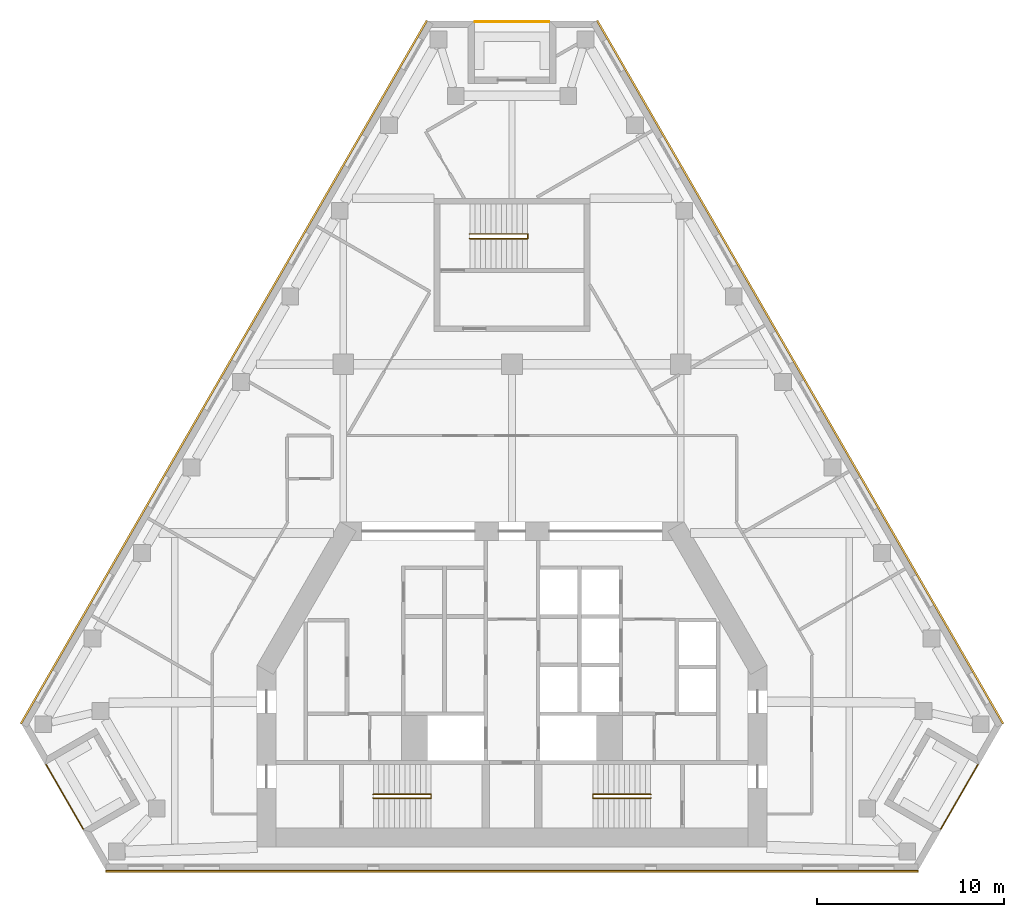
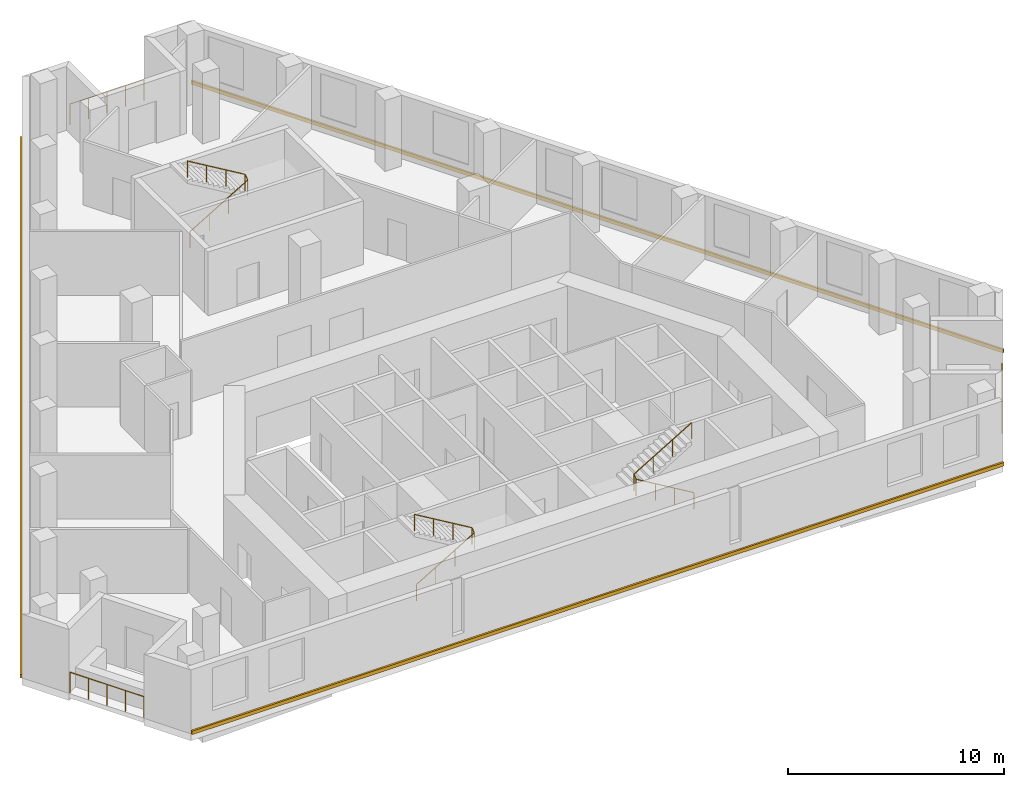
# One storey, part 7 of 7: 6 railings, 3 coverings.
"""IFC4 building model written with IfcOpenShell, lengths in metres."""

from ifc_helpers import new_model, si_unit, direction, frame, origin, origin_2d, place, context, subcontext, project, spatial, polyline, circle, outline, extrude, material, type_object, element, save


model = new_model("IFC4")

# Units and contexts
model_context = context("Model", 3, precision=1e-05, world=origin(), true_north=direction((0.0, 1.0)))
body_context = subcontext(model_context, "Body", "Model", "MODEL_VIEW")
ifc_project = project(units=[si_unit("LENGTHUNIT", "METRE"), si_unit("AREAUNIT", "SQUARE_METRE"), si_unit("VOLUMEUNIT", "CUBIC_METRE"), si_unit("PLANEANGLEUNIT", "RADIAN"), si_unit("MASSUNIT", "GRAM", prefix="KILO")], contexts=[model_context])

# Site, building, storey
site_placement = place(None, origin())
site = spatial("IfcSite", under=ifc_project, at=site_placement, CompositionType="ELEMENT")
building_placement = place(site_placement, origin())
building = spatial("IfcBuilding", under=site, at=building_placement, Name="Fogline Exchange Tower", CompositionType="ELEMENT")
storey_placement = place(building_placement, frame((0.0, 0.0, 255.5)))
storey = spatial("IfcBuildingStorey", under=building, at=storey_placement, Name="L58", CompositionType="ELEMENT", Elevation=255.5)

# Railings
ifc_material_1 = material(Name="Stainless steel 304", Category="steel")
railing_type_1 = type_object("IfcRailingType", Name="G1", PredefinedType="GUARDRAIL", material=ifc_material_1)
railing_1_placement = place(storey_placement, frame((-24.865478515625, 5.635986328125, 0.0)))
element("IfcRailing", 1, at=railing_1_placement, inside=storey, type_object=railing_type_1, Name="Balcony guard L58 SW", PredefinedType="GUARDRAIL", context=body_context, shape_type="SweptSolid", body=[
    extrude(circle(Radius=0.02392578125, at=origin_2d()), frame((0.0, 0.0, 1.17578125), z_axis=(0.499953838557, -0.866052053466, 0.0), x_axis=(0.866052053466, 0.499953838557, 0.0)), (0.0, 0.0, 1.0), 3.957763671875),
    extrude(circle(Radius=0.02099609375, at=origin_2d()), origin(), (0.0, 0.0, 1.0), 1.15185546875),
    extrude(circle(Radius=0.02099609375, at=origin_2d()), frame((0.49462890625, -0.85693359375, 0.0)), (0.0, 0.0, 1.0), 1.15185546875),
    extrude(circle(Radius=0.02099609375, at=origin_2d()), frame((0.9892578125, -1.7138671875, 0.0)), (0.0, 0.0, 1.0), 1.15185546875),
    extrude(circle(Radius=0.02099609375, at=origin_2d()), frame((1.484130859375, -2.57080078125, 0.0)), (0.0, 0.0, 1.0), 1.15185546875),
    extrude(circle(Radius=0.02099609375, at=origin_2d()), frame((1.978759765625, -3.427734375, 0.0)), (0.0, 0.0, 1.0), 1.15185546875),
])
railing_2_placement = place(storey_placement, frame((22.88671875, 2.208251953125, 0.0)))
element("IfcRailing", 2, at=railing_2_placement, inside=storey, type_object=railing_type_1, Name="Balcony guard L58 SE", PredefinedType="GUARDRAIL", context=body_context, shape_type="SweptSolid", body=[
    extrude(circle(Radius=0.02392578125, at=origin_2d()), frame((0.0, 0.0, 1.17578125), z_axis=(0.499953838557, 0.866052053466, 0.0), x_axis=(-0.866052053466, 0.499953838557, 0.0)), (0.0, 0.0, 1.0), 3.957763671875),
    extrude(circle(Radius=0.02099609375, at=origin_2d()), origin(), (0.0, 0.0, 1.0), 1.15185546875),
    extrude(circle(Radius=0.02099609375, at=origin_2d()), frame((0.49462890625, 0.85693359375, 0.0)), (0.0, 0.0, 1.0), 1.15185546875),
    extrude(circle(Radius=0.02099609375, at=origin_2d()), frame((0.9892578125, 1.7138671875, 0.0)), (0.0, 0.0, 1.0), 1.15185546875),
    extrude(circle(Radius=0.02099609375, at=origin_2d()), frame((1.484130859375, 2.57080078125, 0.0)), (0.0, 0.0, 1.0), 1.15185546875),
    extrude(circle(Radius=0.02099609375, at=origin_2d()), frame((1.978759765625, 3.427734375, 0.0)), (0.0, 0.0, 1.0), 1.15185546875),
])
railing_3_placement = place(storey_placement, frame((1.97900390625, 45.276611328125, 0.0)))
element("IfcRailing", 3, at=railing_3_placement, inside=storey, type_object=railing_type_1, Name="Balcony guard L58 N", PredefinedType="GUARDRAIL", context=body_context, shape_type="SweptSolid", body=[
    extrude(circle(Radius=0.02392578125, at=origin_2d()), frame((0.0, 0.0, 1.17578125), z_axis=(-1.0, 0.0, 0.0), x_axis=(0.0, -1.0, 0.0)), (0.0, 0.0, 1.0), 3.9580078125),
    extrude(circle(Radius=0.02099609375, at=origin_2d()), origin(), (0.0, 0.0, 1.0), 1.15185546875),
    extrude(circle(Radius=0.02099609375, at=origin_2d()), frame((-0.989501953125, 0.0, 0.0)), (0.0, 0.0, 1.0), 1.15185546875),
    extrude(circle(Radius=0.02099609375, at=origin_2d()), frame((-1.97900390625, 0.0, 0.0)), (0.0, 0.0, 1.0), 1.15185546875),
    extrude(circle(Radius=0.02099609375, at=origin_2d()), frame((-2.968505859375, 0.0, 0.0)), (0.0, 0.0, 1.0), 1.15185546875),
    extrude(circle(Radius=0.02099609375, at=origin_2d()), frame((-3.9580078125, 0.0, 0.0)), (0.0, 0.0, 1.0), 1.15185546875),
])
ifc_material_2 = material(Name="Steel Q235B", Category="steel")
railing_type_2 = type_object("IfcRailingType", Name="RL-HR", PredefinedType="HANDRAIL", material=ifc_material_2)
railing_4_placement = place(storey_placement, frame((-7.39990234375, 3.85009765625, 0.166748046875)))
element("IfcRailing", 4, at=railing_4_placement, inside=storey, type_object=railing_type_2, Name="Handrail ST1", PredefinedType="HANDRAIL", context=body_context, shape_type="SweptSolid", body=[
    extrude(circle(Radius=0.02392578125, at=origin_2d()), frame((0.0, 0.0, 0.92578125), z_axis=(0.859290745958, 0.0, 0.51148745235), x_axis=(0.0, 1.0, 0.0)), (0.0, 0.0, 1.0), 3.584228515625),
    extrude(circle(Radius=0.02392578125, at=origin_2d()), frame((3.079833984375, 0.0, 2.75927734375), z_axis=(0.0, 0.767990643491, 0.640461061666), x_axis=(-1.0, 0.0, 0.0)), (0.0, 0.0, 1.0), 0.26025390625),
    extrude(circle(Radius=0.02392578125, at=origin_2d()), frame((3.079833984375, 0.199951171875, 2.92578125), z_axis=(-0.859290745958, 0.0, 0.51148745235), x_axis=(0.0, -1.0, 0.0)), (0.0, 0.0, 1.0), 3.584228515625),
    extrude(circle(Radius=0.02099609375, at=origin_2d()), origin(), (0.0, 0.0, 1.0), 0.90185546875),
    extrude(circle(Radius=0.02099609375, at=origin_2d()), frame((1.026611328125, 0.0, 0.611083984375)), (0.0, 0.0, 1.0), 0.90185546875),
    extrude(circle(Radius=0.02099609375, at=origin_2d()), frame((2.05322265625, 0.0, 1.22216796875)), (0.0, 0.0, 1.0), 0.90185546875),
    extrude(circle(Radius=0.02099609375, at=origin_2d()), frame((3.079833984375, 0.0, 1.833251953125)), (0.0, 0.0, 1.0), 0.90185546875),
    extrude(circle(Radius=0.02099609375, at=origin_2d()), frame((3.079833984375, 0.199951171875, 2.0)), (0.0, 0.0, 1.0), 0.90185546875),
    extrude(circle(Radius=0.02099609375, at=origin_2d()), frame((2.05322265625, 0.199951171875, 2.611083984375)), (0.0, 0.0, 1.0), 0.90185546875),
    extrude(circle(Radius=0.02099609375, at=origin_2d()), frame((1.026611328125, 0.199951171875, 3.22216796875)), (0.0, 0.0, 1.0), 0.90185546875),
    extrude(circle(Radius=0.02099609375, at=origin_2d()), frame((0.0, 0.199951171875, 3.833251953125)), (0.0, 0.0, 1.0), 0.90185546875),
])
railing_5_placement = place(storey_placement, frame((7.39990234375, 3.85009765625, 0.166748046875)))
element("IfcRailing", 5, at=railing_5_placement, inside=storey, type_object=railing_type_2, Name="Handrail ST2", PredefinedType="HANDRAIL", context=body_context, shape_type="SweptSolid", body=[
    extrude(circle(Radius=0.02392578125, at=origin_2d()), frame((0.0, 0.0, 0.92578125), z_axis=(-0.859290745958, 0.0, 0.51148745235), x_axis=(0.0, -1.0, 0.0)), (0.0, 0.0, 1.0), 3.584228515625),
    extrude(circle(Radius=0.02392578125, at=origin_2d()), frame((-3.079833984375, 0.0, 2.75927734375), z_axis=(0.0, 0.767990643491, 0.640461061666), x_axis=(-1.0, 0.0, 0.0)), (0.0, 0.0, 1.0), 0.26025390625),
    extrude(circle(Radius=0.02392578125, at=origin_2d()), frame((-3.079833984375, 0.199951171875, 2.92578125), z_axis=(0.859290745958, 0.0, 0.51148745235), x_axis=(0.0, 1.0, 0.0)), (0.0, 0.0, 1.0), 3.584228515625),
    extrude(circle(Radius=0.02099609375, at=origin_2d()), origin(), (0.0, 0.0, 1.0), 0.90185546875),
    extrude(circle(Radius=0.02099609375, at=origin_2d()), frame((-1.026611328125, 0.0, 0.611083984375)), (0.0, 0.0, 1.0), 0.90185546875),
    extrude(circle(Radius=0.02099609375, at=origin_2d()), frame((-2.05322265625, 0.0, 1.22216796875)), (0.0, 0.0, 1.0), 0.90185546875),
    extrude(circle(Radius=0.02099609375, at=origin_2d()), frame((-3.079833984375, 0.0, 1.833251953125)), (0.0, 0.0, 1.0), 0.90185546875),
    extrude(circle(Radius=0.02099609375, at=origin_2d()), frame((-3.079833984375, 0.199951171875, 2.0)), (0.0, 0.0, 1.0), 0.90185546875),
    extrude(circle(Radius=0.02099609375, at=origin_2d()), frame((-2.05322265625, 0.199951171875, 2.611083984375)), (0.0, 0.0, 1.0), 0.90185546875),
    extrude(circle(Radius=0.02099609375, at=origin_2d()), frame((-1.026611328125, 0.199951171875, 3.22216796875)), (0.0, 0.0, 1.0), 0.90185546875),
    extrude(circle(Radius=0.02099609375, at=origin_2d()), frame((0.0, 0.199951171875, 3.833251953125)), (0.0, 0.0, 1.0), 0.90185546875),
])
railing_6_placement = place(storey_placement, frame((-2.25, 33.70703125, 0.166748046875)))
element("IfcRailing", 6, at=railing_6_placement, inside=storey, type_object=railing_type_2, Name="Handrail ST3", PredefinedType="HANDRAIL", context=body_context, shape_type="SweptSolid", body=[
    extrude(circle(Radius=0.02392578125, at=origin_2d()), frame((0.0, 0.0, 0.92578125), z_axis=(0.859308565015, 0.0, 0.511457515432), x_axis=(0.0, 1.0, 0.0)), (0.0, 0.0, 1.0), 3.58447265625),
    extrude(circle(Radius=0.02392578125, at=origin_2d()), frame((3.080078125, 0.0, 2.75927734375), z_axis=(0.0, 0.831925284441, 0.554887665306), x_axis=(-1.0, 0.0, 0.0)), (0.0, 0.0, 1.0), 0.300537109375),
    extrude(circle(Radius=0.02392578125, at=origin_2d()), frame((3.080078125, 0.25, 2.92578125), z_axis=(-0.859308565015, 0.0, 0.511457515432), x_axis=(0.0, -1.0, 0.0)), (0.0, 0.0, 1.0), 3.58447265625),
    extrude(circle(Radius=0.02099609375, at=origin_2d()), origin(), (0.0, 0.0, 1.0), 0.90185546875),
    extrude(circle(Radius=0.02099609375, at=origin_2d()), frame((1.026611328125, 0.0, 0.611083984375)), (0.0, 0.0, 1.0), 0.90185546875),
    extrude(circle(Radius=0.02099609375, at=origin_2d()), frame((2.053466796875, 0.0, 1.22216796875)), (0.0, 0.0, 1.0), 0.90185546875),
    extrude(circle(Radius=0.02099609375, at=origin_2d()), frame((3.080078125, 0.0, 1.833251953125)), (0.0, 0.0, 1.0), 0.90185546875),
    extrude(circle(Radius=0.02099609375, at=origin_2d()), frame((3.080078125, 0.25, 2.0)), (0.0, 0.0, 1.0), 0.90185546875),
    extrude(circle(Radius=0.02099609375, at=origin_2d()), frame((2.053466796875, 0.25, 2.611083984375)), (0.0, 0.0, 1.0), 0.90185546875),
    extrude(circle(Radius=0.02099609375, at=origin_2d()), frame((1.026611328125, 0.25, 3.22216796875)), (0.0, 0.0, 1.0), 0.90185546875),
    extrude(circle(Radius=0.02099609375, at=origin_2d()), frame((0.0, 0.25, 3.833251953125)), (0.0, 0.0, 1.0), 0.90185546875),
])

# Coverings
ifc_material_3 = material(Name="Brick masonry", Category="masonry")
covering_type = type_object("IfcCoveringType", Name="SB1", PredefinedType="CLADDING", material=ifc_material_3)
covering_1_placement = place(storey_placement, origin())
element("IfcCovering", 7, at=covering_1_placement, inside=storey, type_object=covering_type, Name="Stringcourse band L58 S", PredefinedType="CLADDING", context=body_context, shape_type="SweptSolid", body=[
    extrude(outline(polyline([(-21.66943359375, 0.0), (-21.66943359375, -0.10009765625), (21.66943359375, -0.10009765625), (21.66943359375, 0.0), (-21.66943359375, 0.0)])), origin(), (0.0, 0.0, 1.0), 0.199951171875),
])
covering_2_placement = place(storey_placement, origin())
element("IfcCovering", 8, at=covering_2_placement, inside=storey, type_object=covering_type, Name="Stringcourse band L58 E", PredefinedType="CLADDING", context=body_context, shape_type="SweptSolid", body=[
    extrude(outline(polyline([(26.16943359375, 7.794189453125), (26.256103515625, 7.84423828125), (4.586669921875, 45.376708984375), (4.5, 45.32666015625), (26.16943359375, 7.794189453125)])), origin(), (0.0, 0.0, 1.0), 0.199951171875),
])
covering_3_placement = place(storey_placement, origin())
element("IfcCovering", 9, at=covering_3_placement, inside=storey, type_object=covering_type, Name="Stringcourse band L58 W", PredefinedType="CLADDING", context=body_context, shape_type="SweptSolid", body=[
    extrude(outline(polyline([(-4.5, 45.32666015625), (-4.586669921875, 45.376708984375), (-26.256103515625, 7.84423828125), (-26.16943359375, 7.794189453125), (-4.5, 45.32666015625)])), origin(), (0.0, 0.0, 1.0), 0.199951171875),
])

save(model, "model.ifc")
